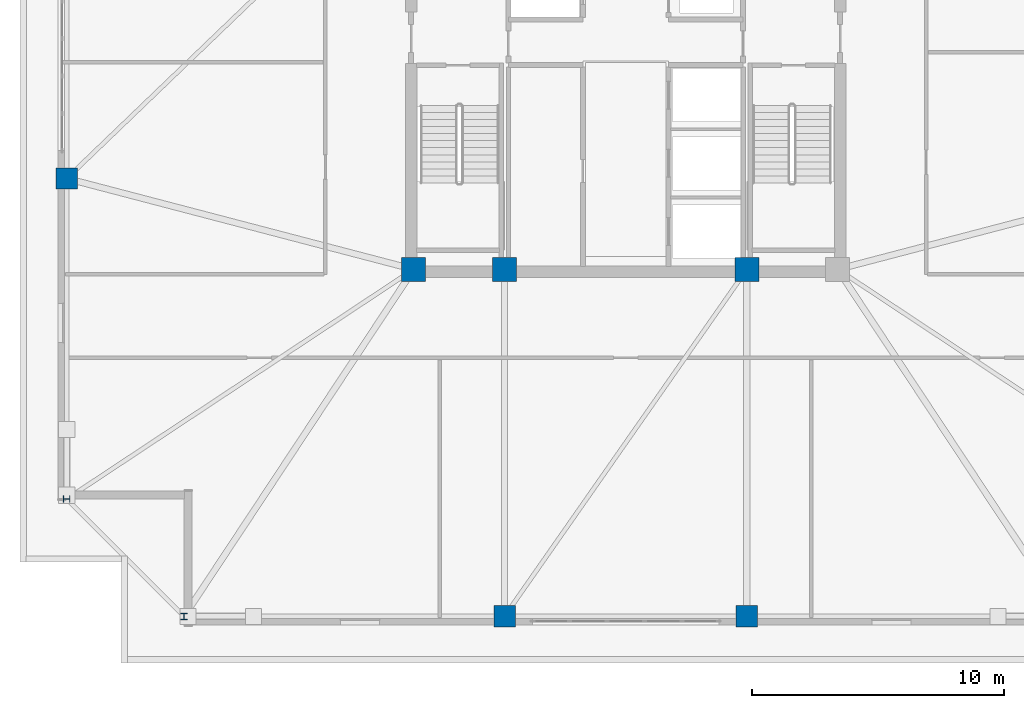
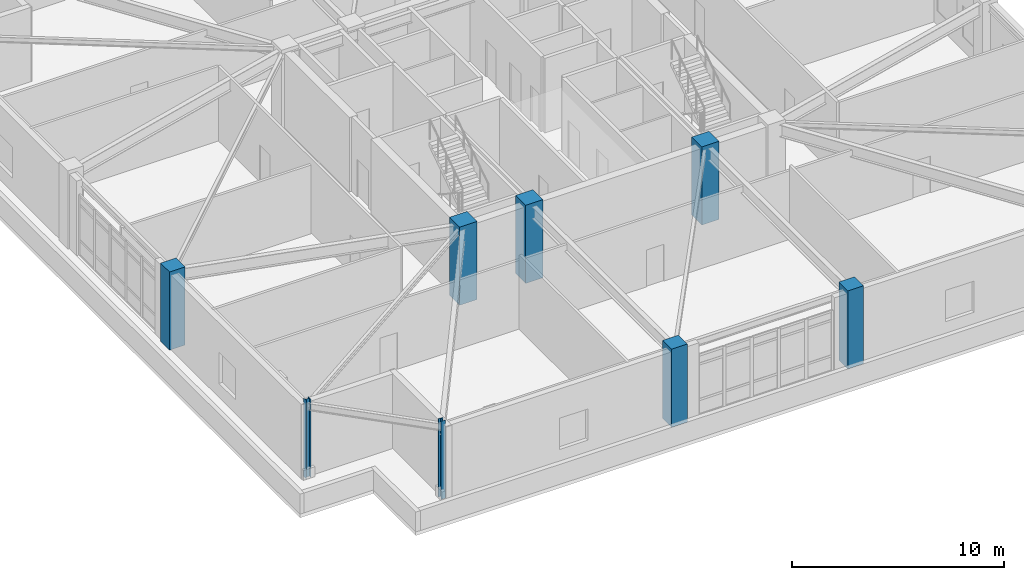
# One storey, part 1 of 18: 8 columns.
"""IFC4 building model written with IfcOpenShell, lengths in metres."""

import ifcopenshell
import ifcopenshell.guid

model = None  # the IFC model being written
_history = None  # IfcOwnerHistory: only IFC2X3 demands one
_inside = {}  # id of a spatial element -> (the spatial element, [elements in it])
_under = {}  # id of a project, library or spatial element -> (it, [spatial elements below it])
_declared = {}  # id of a project -> (the project, [libraries it declares])
_typed = {}  # id of a type object -> (the type object, [elements of that type])
_made_of = {}  # id of a material, layer set ... -> (it, [elements and type objects made of it])


def new_model(schema):
    """Start an empty IFC model of exactly this schema.

    Asked for "IFC4X3", IfcOpenShell would pick the latest addendum, in which some entities
    have other attributes; the version numbers below select the first issue.
    IFC2X3 requires an IfcOwnerHistory on every rooted entity: one is made here for all.
    """
    global model, _history
    if schema == "IFC4X3":
        model = ifcopenshell.file(schema_version=(4, 3, 0, 0))
    else:
        model = ifcopenshell.file(schema=schema)
    _inside.clear()
    _under.clear()
    _declared.clear()
    _typed.clear()
    _made_of.clear()
    _history = None
    if model.schema == "IFC2X3":
        org = make("IfcOrganization", Name="unknown")
        user = make(
            "IfcPersonAndOrganization",
            ThePerson=make("IfcPerson", FamilyName="unknown"),
            TheOrganization=org,
        )
        app = make(
            "IfcApplication",
            ApplicationDeveloper=org,
            Version="unknown",
            ApplicationFullName="unknown",
            ApplicationIdentifier="unknown",
        )
        _history = make(
            "IfcOwnerHistory",
            OwningUser=user,
            OwningApplication=app,
            ChangeAction="ADDED",
            CreationDate=0,
        )
    return model


def make(cls, **values):
    """One entity of the class cls with the attributes given. An attribute that is None is left unset."""
    return model.create_entity(
        cls, **{name: value for name, value in values.items() if value is not None}
    )


def rooted(cls, **values):
    """An entity with a GlobalId (a new one), such as an element, a storey or a relation."""
    return make(cls, GlobalId=ifcopenshell.guid.new(), OwnerHistory=_history, **values)


def si_unit(unit_type, name, prefix=None):
    """IfcSIUnit, for example si_unit("LENGTHUNIT", "METRE", prefix="MILLI")."""
    return make("IfcSIUnit", UnitType=unit_type, Prefix=prefix, Name=name)


def assignment(units):
    """IfcUnitAssignment: the units of a project."""
    return None if units is None else make("IfcUnitAssignment", Units=units)


def point(xyz):
    """IfcCartesianPoint."""
    return None if xyz is None else make("IfcCartesianPoint", Coordinates=xyz)


def direction(xyz):
    """IfcDirection."""
    return None if xyz is None else make("IfcDirection", DirectionRatios=xyz)


def frame(location, z_axis=None, x_axis=None):
    """IfcAxis2Placement3D, a coordinate frame: its origin and axes. An axis left out is left unset."""
    return make(
        "IfcAxis2Placement3D",
        Location=point(location),
        Axis=direction(z_axis),
        RefDirection=direction(x_axis),
    )


def frame_2d(location, x_axis=None):
    """IfcAxis2Placement2D, a coordinate frame in the plane: its origin and x axis."""
    return make(
        "IfcAxis2Placement2D", Location=point(location), RefDirection=direction(x_axis)
    )


def origin():
    """The frame at (0, 0, 0) with its axes left unset."""
    return frame((0.0, 0.0, 0.0))


def origin_2d():
    """The frame at (0, 0) in the plane with its x axis left unset."""
    return frame_2d((0.0, 0.0))


def place(relative_to, where):
    """IfcLocalPlacement: puts the frame where relative to a parent placement (None: the world)."""
    return make(
        "IfcLocalPlacement", PlacementRelTo=relative_to, RelativePlacement=where
    )


def context(
    kind, dimensions, precision=None, world=None, true_north=None, identifier=None
):
    """IfcGeometricRepresentationContext, for example the 3D "Model" context."""
    return make(
        "IfcGeometricRepresentationContext",
        ContextIdentifier=identifier,
        ContextType=kind,
        CoordinateSpaceDimension=dimensions,
        Precision=precision,
        WorldCoordinateSystem=world,
        TrueNorth=true_north,
    )


def subcontext(parent, identifier, kind, view, scale=None):
    """IfcGeometricRepresentationSubContext, for example "Body" below "Model"."""
    return make(
        "IfcGeometricRepresentationSubContext",
        ContextIdentifier=identifier,
        ContextType=kind,
        ParentContext=parent,
        TargetScale=scale,
        TargetView=view,
    )


def project(units=None, contexts=None):
    """IfcProject with its units and contexts."""
    return rooted(
        "IfcProject",
        Name="project",
        RepresentationContexts=contexts,
        UnitsInContext=assignment(units),
    )


def spatial(cls, under=None, at=None, **own):
    """A site, building, storey or space (cls), placed at a placement, below another one or the project."""
    s = rooted(cls, ObjectPlacement=at, **own)
    if under is not None:
        _under.setdefault(under.id(), (under, []))[1].append(s)
    return s


def profile(cls, at=None, kind="AREA", **sizes):
    """A parametric profile (cls). Its sizes go by their IFC names, for example OverallWidth=200.0."""
    return make(cls, ProfileType=kind, Position=at, **sizes)


def rectangle(**sizes):
    """IfcRectangleProfileDef."""
    return profile("IfcRectangleProfileDef", **sizes)


def i_section(**sizes):
    """IfcIShapeProfileDef."""
    return profile("IfcIShapeProfileDef", **sizes)


def extrude(swept, where, along, depth):
    """IfcExtrudedAreaSolid: the profile swept, set in the frame where, extruded along a direction by depth."""
    return make(
        "IfcExtrudedAreaSolid",
        SweptArea=swept,
        Position=where,
        ExtrudedDirection=direction(along),
        Depth=depth,
    )


def shape(context_of_items, identifier, shape_type, items):
    """IfcShapeRepresentation: the items that make up one representation, for example the "Body"."""
    return make(
        "IfcShapeRepresentation",
        ContextOfItems=context_of_items,
        RepresentationIdentifier=identifier,
        RepresentationType=shape_type,
        Items=items,
    )


def material(Name=None, Category=None):
    """IfcMaterial."""
    return make("IfcMaterial", Name=Name, Category=Category)


def material_profile(
    of_material, cross_section, Name=None, Category=None, Priority=None
):
    """IfcMaterialProfile: a cross section and its material."""
    return make(
        "IfcMaterialProfile",
        Name=Name,
        Material=of_material,
        Profile=cross_section,
        Priority=Priority,
        Category=Category,
    )


def profile_set(profiles, Name=None, composite=None):
    """IfcMaterialProfileSet."""
    return make(
        "IfcMaterialProfileSet",
        Name=Name,
        MaterialProfiles=profiles,
        CompositeProfile=composite,
    )


def made_of(thing, what):
    """Note that an element or type object is made of a material, layer set ...; save() writes the relation."""
    if what is not None:
        _made_of.setdefault(what.id(), (what, []))[1].append(thing)
    return thing


def type_object(cls, material=None, **own):
    """A type object (cls), such as IfcWallType, which elements share."""
    return made_of(rooted(cls, **own), material)


def element(
    cls,
    number,
    at=None,
    inside=None,
    cuts=None,
    type_object=None,
    material=None,
    context=None,
    identifier="Body",
    shape_type=None,
    held_by="IfcProductDefinitionShape",
    body=None,
    shapes=None,
    **own,
):
    """One element of the class cls, such as IfcWall. Its Tag is "e" and its number.

    at: its placement. inside: the storey or other place that contains it. cuts: it is an
    opening in that element (IfcRelVoidsElement). A single representation is given by context,
    identifier, shape_type and body (its items); several are given by shapes. held_by: the class
    of the entity that holds the representations. save() writes the other relations.
    """
    e = rooted(cls, Tag="e%d" % number, ObjectPlacement=at, **own)
    if body is not None:
        shapes = [shape(context, identifier, shape_type, body)]
    if shapes is not None:
        e.Representation = make(held_by, Representations=shapes)
    if inside is not None:
        _inside.setdefault(inside.id(), (inside, []))[1].append(e)
    if cuts is not None:
        rooted(
            "IfcRelVoidsElement", RelatingBuildingElement=cuts, RelatedOpeningElement=e
        )
    if type_object is not None:
        _typed.setdefault(type_object.id(), (type_object, []))[1].append(e)
    return made_of(e, material)


def aggregate(whole, parts):
    """IfcRelAggregates: a whole, such as a stair, and the parts it consists of."""
    return rooted("IfcRelAggregates", RelatingObject=whole, RelatedObjects=parts)


def save(model, path):
    """Write the relations noted so far, then the file.

    IfcRelAggregates (storeys below a building ...), IfcRelContainedInSpatialStructure (elements
    in a storey), IfcRelDefinesByType, IfcRelAssociatesMaterial and IfcRelDeclares: one each for
    every whole, place, type object, material and project.
    """
    for whole, parts in _under.values():
        aggregate(whole, parts)
    for where, things in _inside.values():
        rooted(
            "IfcRelContainedInSpatialStructure",
            RelatedElements=things,
            RelatingStructure=where,
        )
    for kind, things in _typed.values():
        rooted("IfcRelDefinesByType", RelatedObjects=things, RelatingType=kind)
    for what, things in _made_of.values():
        rooted("IfcRelAssociatesMaterial", RelatedObjects=things, RelatingMaterial=what)
    for by, libraries in _declared.values():
        rooted("IfcRelDeclares", RelatingContext=by, RelatedDefinitions=libraries)
    model.write(path)


model = new_model("IFC4")

# Units and contexts
model_context = context("Model", 3, precision=1e-05, world=origin(), true_north=direction((0.0, 1.0)))
body_context = subcontext(model_context, "Body", "Model", "MODEL_VIEW")
ifc_project = project(units=[si_unit("LENGTHUNIT", "METRE"), si_unit("AREAUNIT", "SQUARE_METRE"), si_unit("VOLUMEUNIT", "CUBIC_METRE"), si_unit("PLANEANGLEUNIT", "RADIAN"), si_unit("MASSUNIT", "GRAM", prefix="KILO")], contexts=[model_context])

# Site, building, storey
site_placement = place(None, origin())
site = spatial("IfcSite", under=ifc_project, at=site_placement, CompositionType="ELEMENT")
building_placement = place(site_placement, origin())
building = spatial("IfcBuilding", under=site, at=building_placement, Name="Cairnveth Concourse Tower", CompositionType="ELEMENT")
storey_placement = place(building_placement, frame((0.0, 0.0, 198.0)))
storey = spatial("IfcBuildingStorey", under=building, at=storey_placement, Name="L54", CompositionType="ELEMENT", Elevation=198.0)

# Columns
ifc_material_1 = material(Name="Concrete N65 (65 MPa)", Category="concrete")
ifc_material_profile_1 = material_profile(ifc_material_1, rectangle(XDim=0.949951171875, YDim=0.949951171875, at=origin_2d()), Name="RC-COL-950x950")
ifc_profile_set_1 = profile_set([ifc_material_profile_1], Name="Concrete N65 (65 MPa)")
column_type_1 = type_object("IfcColumnType", Name="CORE COLUMN 950X950", PredefinedType="COLUMN", material=ifc_profile_set_1)
for number, where, z_axis, x_axis, name in (
    (1, (43.60009765625, 30.60009765625, 0.0), (0.0, 0.0, 1.0), (1.0, 0.0, 0.0), "Column CC1 L54"),
    (2, (47.199951171875, 30.60009765625, 0.0), (0.0, 0.0, 1.0), (1.0, 0.0, 0.0), "Column CC2 L54"),
    (3, (56.800048828125, 30.60009765625, 0.0), (0.0, 0.0, 1.0), (1.0, 0.0, 0.0), "Column CC3 L54"),
):
    element("IfcColumn", number, at=place(storey_placement, frame(where, z_axis=z_axis, x_axis=x_axis)), inside=storey, type_object=column_type_1, Name=name, PredefinedType="COLUMN", context=body_context, shape_type="SweptSolid", body=[
        extrude(rectangle(XDim=0.949951171875, YDim=0.949951171875, at=origin_2d()), origin(), (0.0, 0.0, 1.0), 4.5),
    ])
ifc_material_profile_2 = material_profile(ifc_material_1, rectangle(XDim=0.85009765625, YDim=0.85009765625, at=origin_2d()), Name="RC-COL-850x850")
ifc_profile_set_2 = profile_set([ifc_material_profile_2], Name="Concrete N65 (65 MPa)")
column_type_2 = type_object("IfcColumnType", Name="PERIMETER PIER COLUMN 850X850", PredefinedType="COLUMN", material=ifc_profile_set_2)
for number, where, z_axis, x_axis, name in (
    (4, (47.199951171875, 16.85009765625, 0.0), (0.0, 0.0, 1.0), (1.0, 0.0, 0.0), "Column P-S2 L54"),
    (5, (56.800048828125, 16.85009765625, 0.0), (0.0, 0.0, 1.0), (1.0, 0.0, 0.0), "Column P-S3 L54"),
    (6, (29.85009765625, 34.199951171875, 0.0), (0.0, 0.0, 1.0), (0.0, 1.0, 0.0), "Column P-W3 L54"),
):
    element("IfcColumn", number, at=place(storey_placement, frame(where, z_axis=z_axis, x_axis=x_axis)), inside=storey, type_object=column_type_2, Name=name, PredefinedType="COLUMN", context=body_context, shape_type="SweptSolid", body=[
        extrude(rectangle(XDim=0.85009765625, YDim=0.85009765625, at=origin_2d()), origin(), (0.0, 0.0, 1.0), 4.5),
    ])
ifc_material_2 = material(Name="Steel Grade 350", Category="steel")
ifc_material_profile_3 = material_profile(ifc_material_2, i_section(OverallWidth=0.256103515625, OverallDepth=0.260009765625, WebThickness=0.010498046875, FlangeThickness=0.017333984375, FilletRadius=0.012939453125, at=origin_2d()), Name="250UC89.5")
ifc_profile_set_3 = profile_set([ifc_material_profile_3], Name="Steel Grade 350")
column_type_3 = type_object("IfcColumnType", Name="UNIVERSAL STEEL COLUMN 250UC89.5", PredefinedType="COLUMN", material=ifc_profile_set_3)
for number, where, z_axis, x_axis, name in (
    (7, (34.5, 16.85009765625, 0.0), (0.0, 0.0, 1.0), (1.0, 0.0, 0.0), "Column P-S1 L54"),
    (8, (29.85009765625, 21.5, 0.0), (0.0, 0.0, 1.0), (0.0, 1.0, 0.0), "Column P-W4 L54"),
):
    element("IfcColumn", number, at=place(storey_placement, frame(where, z_axis=z_axis, x_axis=x_axis)), inside=storey, type_object=column_type_3, Name=name, PredefinedType="COLUMN", context=body_context, shape_type="SweptSolid", body=[
        extrude(i_section(OverallWidth=0.256103515625, OverallDepth=0.260009765625, WebThickness=0.010498046875, FlangeThickness=0.017333984375, FilletRadius=0.012939453125, at=origin_2d()), origin(), (0.0, 0.0, 1.0), 4.5),
    ])

save(model, "model.ifc")
